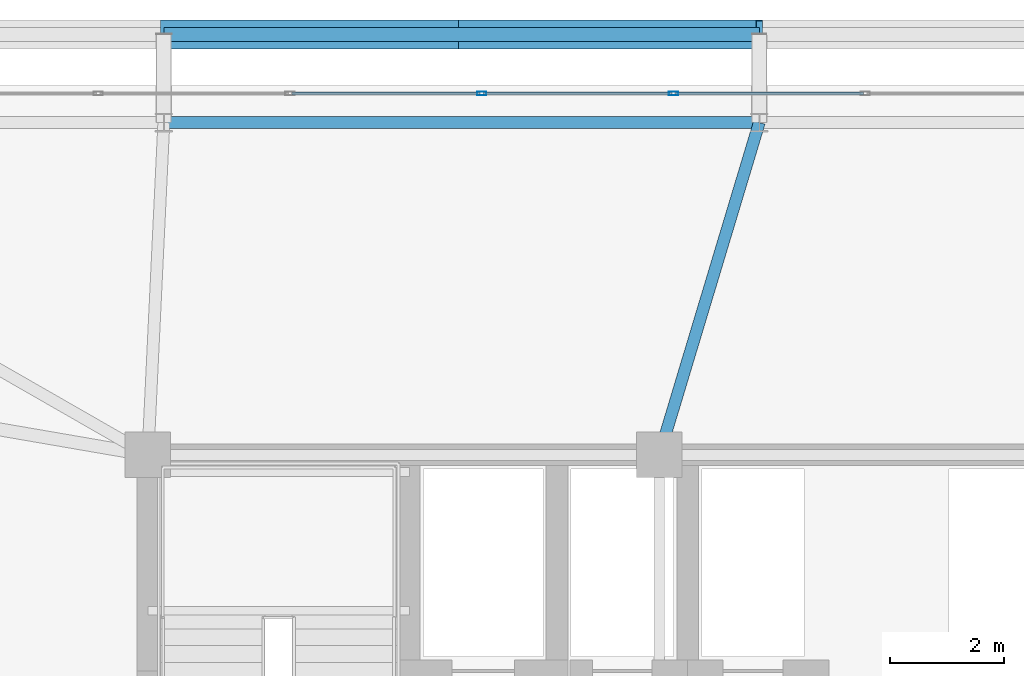
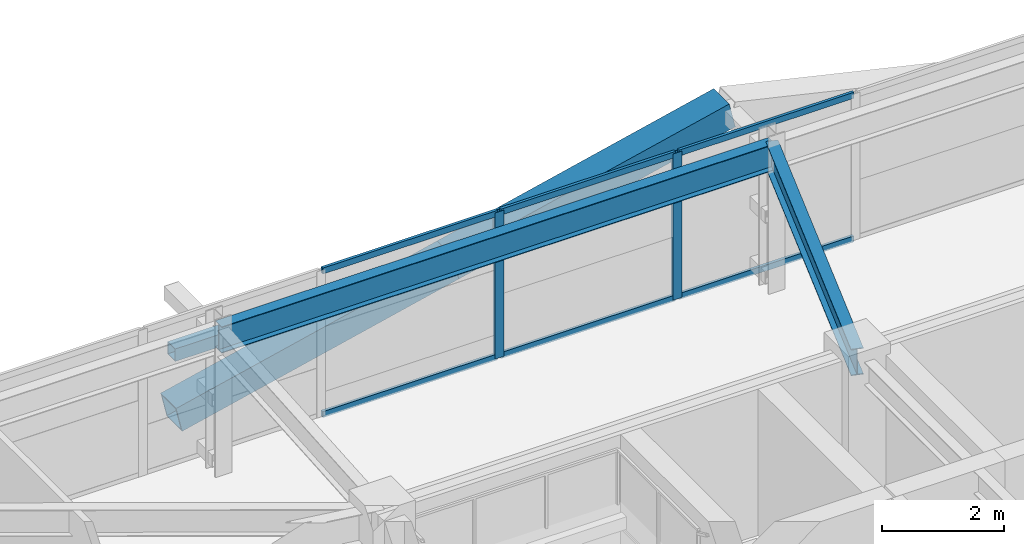
# One storey, part 36 of 59: 11 members, 2 beams, 1 element without a shape of its own.
"""IFC4 building model written with IfcOpenShell, lengths in metres."""

from ifc_helpers import new_model, si_unit, direction, frame, origin, origin_2d, place, context, subcontext, project, spatial, hollow_rectangle, i_section, extrude, source, transform, mapped, material, layer, layer_set, material_profile, profile_set, type_object, element, aggregate, save


model = new_model("IFC4")

# Units and contexts
model_context = context("Model", 3, precision=1e-05, world=origin(), true_north=direction((0.0, 1.0)))
body_context = subcontext(model_context, "Body", "Model", "MODEL_VIEW")
ifc_project = project(units=[si_unit("LENGTHUNIT", "METRE"), si_unit("AREAUNIT", "SQUARE_METRE"), si_unit("VOLUMEUNIT", "CUBIC_METRE"), si_unit("PLANEANGLEUNIT", "RADIAN"), si_unit("MASSUNIT", "GRAM", prefix="KILO")], contexts=[model_context])

# Site, building, storey
site_placement = place(None, origin())
site = spatial("IfcSite", under=ifc_project, at=site_placement, CompositionType="ELEMENT")
building_placement = place(site_placement, origin())
building = spatial("IfcBuilding", under=site, at=building_placement, Name="Taldren Reach Tower", CompositionType="ELEMENT")
storey_placement = place(building_placement, frame((0.0, 0.0, 19.949951171875)))
storey = spatial("IfcBuildingStorey", under=building, at=storey_placement, Name="L05", CompositionType="ELEMENT", Elevation=19.949951171875)

# Beams
ifc_material_1 = material(Name="Steel Gr 350 (350PLUS)", Category="steel")
ifc_material_profile_1 = material_profile(ifc_material_1, i_section(OverallWidth=0.208984375, OverallDepth=0.528076171875, WebThickness=0.009521484375, FlangeThickness=0.01318359375, at=origin_2d()), Name="530UB82.0")
ifc_profile_set_1 = profile_set([ifc_material_profile_1], Name="Steel Gr 350 (350PLUS)")
beam_type_1 = type_object("IfcBeamType", Name="SP-UB530B", PredefinedType="SPANDREL", material=ifc_profile_set_1)
shared_shape_1 = source(origin(), body_context, "Body", "SweptSolid", [
    extrude(i_section(OverallWidth=0.208984375, OverallDepth=0.528076171875, WebThickness=0.009521484375, FlangeThickness=0.01318359375, at=origin_2d()), origin(), (0.0, 0.0, 1.0), 10.47998046875),
])
beam_1_placement = place(storey_placement, frame((29.760009765625, 37.85009765625, 2.666015625), z_axis=(-1.0, 0.0, 0.0), x_axis=(0.0, -1.0, 0.0)))
element("IfcBeam", 1, at=beam_1_placement, inside=storey, type_object=beam_type_1, Name="Perimeter spandrel B1 N3-N2 L05", PredefinedType="SPANDREL", context=body_context, shape_type="MappedRepresentation", body=[
    mapped(shared_shape_1, transform((0.0, 0.0, 0.0), scale=1.0)),
])
ifc_material_profile_2 = material_profile(ifc_material_1, i_section(OverallWidth=0.208984375, OverallDepth=0.532958984375, WebThickness=0.01025390625, FlangeThickness=0.015625, at=origin_2d()), Name="530UB92.4")
ifc_profile_set_2 = profile_set([ifc_material_profile_2], Name="Steel Gr 350 (350PLUS)")
beam_type_2 = type_object("IfcBeamType", Name="BM-UB530A", PredefinedType="BEAM", material=ifc_profile_set_2)
shared_shape_2 = source(origin(), body_context, "Body", "SweptSolid", [
    extrude(i_section(OverallWidth=0.208984375, OverallDepth=0.532958984375, WebThickness=0.01025390625, FlangeThickness=0.015625, at=origin_2d()), origin(), (0.0, 0.0, 1.0), 6.109130859375),
])
beam_2_placement = place(storey_placement, frame((28.0, 32.0, 2.66357421875), z_axis=(0.288095735745, 0.957601611864, 0.0), x_axis=(-0.957601611864, 0.288095735745, 0.0)))
element("IfcBeam", 2, at=beam_2_placement, inside=storey, type_object=beam_type_2, Name="Primary floor girder B1-N3 L05", PredefinedType="BEAM", context=body_context, shape_type="MappedRepresentation", body=[
    mapped(shared_shape_2, transform((0.0, 0.0, 0.0), scale=1.0)),
])

# Members
ifc_material_2 = material(Name="Steel Gr 450 (C450L0)", Category="steel")
ifc_material_profile_3 = material_profile(ifc_material_2, hollow_rectangle(XDim=0.510009765625, YDim=0.510009765625, WallThickness=0.02001953125, at=origin_2d()), Name="510x510x20.0SHS")
ifc_profile_set_3 = profile_set([ifc_material_profile_3], Name="Steel Gr 450 (C450L0)")
member_type_1 = type_object("IfcMemberType", Name="MB-EXO508", PredefinedType="BRACE", material=ifc_profile_set_3)
shared_shape_3 = source(origin(), body_context, "Body", "SweptSolid", [
    extrude(hollow_rectangle(XDim=0.510009765625, YDim=0.510009765625, WallThickness=0.02001953125, at=origin_2d()), origin(), (0.0, 0.0, 1.0), 5.37890625),
])
for number, where, z_axis, x_axis, name in (
    (3, (19.280029296875, 39.39990234375, 0.219970703125), (0.97415197996, 0.0, 0.225893603143), (0.0, 1.0, 0.0), "Exoskeleton Diagrid Brace B1-N2 L05"),
    (4, (24.52001953125, 39.39990234375, 1.43505859375), (0.97415197996, 0.0, 0.225893603143), (0.0, 1.0, 0.0), "Exoskeleton Diagrid Brace B1-N2 L05"),
):
    element("IfcMember", number, at=place(storey_placement, frame(where, z_axis=z_axis, x_axis=x_axis)), inside=storey, type_object=member_type_1, Name=name, PredefinedType="BRACE", context=body_context, shape_type="MappedRepresentation", body=[
        mapped(shared_shape_3, transform((0.0, 0.0, 0.0), scale=1.0)),
    ])
ifc_material_3 = material(Name="Steel Gr 350 (C350L0)", Category="steel")
ifc_material_profile_4 = material_profile(ifc_material_3, hollow_rectangle(XDim=0.25, YDim=0.25, WallThickness=0.010009765625, at=origin_2d()), Name="250x250x10.0SHS")
ifc_profile_set_4 = profile_set([ifc_material_profile_4], Name="Steel Gr 350 (C350L0)")
member_type_2 = type_object("IfcMemberType", Name="MB-POST250", PredefinedType="POST", material=ifc_profile_set_4)
shared_shape_4 = source(origin(), body_context, "Body", "SweptSolid", [
    extrude(hollow_rectangle(XDim=0.25, YDim=0.25, WallThickness=0.010009765625, at=origin_2d()), origin(), (0.0, 0.0, 1.0), 10.47998046875),
])
member_1_placement = place(storey_placement, frame((19.280029296875, 39.39990234375, 1.43505859375), z_axis=(1.0, 0.0, 0.0), x_axis=(0.0, 1.0, 0.0)))
element("IfcMember", 5, at=member_1_placement, inside=storey, type_object=member_type_2, Name="Exoskeleton mid-height ring chord B1-N2 L05", PredefinedType="POST", context=body_context, shape_type="MappedRepresentation", body=[
    mapped(shared_shape_4, transform((0.0, 0.0, 0.0), scale=1.0)),
])

# Curtain wall, members
ifc_material_4 = material(Name="Aluminium and Low-E Glass Unitised System", Category="aluminium")
ifc_layer = layer(ifc_material_4, 0.159912109375)
ifc_layer_set = layer_set([ifc_layer], Name="Aluminium and Low-E Glass Unitised System")
curtain_wall_type = type_object("IfcCurtainWallType", Name="CW-SYS-2", PredefinedType="NOTDEFINED", material=ifc_layer_set)
curtain_wall_placement = place(storey_placement, origin())
curtain_wall = element("IfcCurtainWall", 6, at=curtain_wall_placement, inside=storey, type_object=curtain_wall_type, Name="Unitised curtain wall CW-L05-N", PredefinedType="NOTDEFINED")
ifc_material_5 = material(Name="Anodised Aluminium 6063-T6", Category="aluminium")
ifc_material_profile_5 = material_profile(ifc_material_5, hollow_rectangle(XDim=0.06494140625, YDim=0.1650390625, WallThickness=0.00390625, at=origin_2d()), Name="ALU-165x65x4RHS")
ifc_profile_set_5 = profile_set([ifc_material_profile_5], Name="Anodised Aluminium 6063-T6")
member_type_3 = type_object("IfcMemberType", Name="CW-MUL-165", PredefinedType="MULLION", material=ifc_profile_set_5)
shared_shape_5 = source(origin(), body_context, "Body", "SweptSolid", [
    extrude(hollow_rectangle(XDim=0.06494140625, YDim=0.1650390625, WallThickness=0.00390625, at=origin_2d()), origin(), (0.0, 0.0, 1.0), 2.929931640625),
])
member_2_placement = place(storey_placement, frame((28.25, 38.360107421875, 0.0), z_axis=(0.0, 0.0, 1.0), x_axis=(0.0, -1.0, 0.0)))
member_2 = element("IfcMember", 7, at=member_2_placement, type_object=member_type_3, Name="CW-2 mullion 11", PredefinedType="MULLION", context=body_context, shape_type="MappedRepresentation", body=[
    mapped(shared_shape_5, transform((0.0, 0.0, 0.0), scale=1.0)),
])
member_3_placement = place(storey_placement, frame((24.875, 38.360107421875, 0.0), z_axis=(0.0, 0.0, 1.0), x_axis=(0.0, -1.0, 0.0)))
member_3 = element("IfcMember", 8, at=member_3_placement, type_object=member_type_3, Name="CW-2 mullion 12", PredefinedType="MULLION", context=body_context, shape_type="MappedRepresentation", body=[
    mapped(shared_shape_5, transform((0.0, 0.0, 0.0), scale=1.0)),
])
ifc_material_profile_6 = material_profile(ifc_material_5, hollow_rectangle(XDim=0.054931640625, YDim=0.1201171875, WallThickness=0.0029296875, at=origin_2d()), Name="ALU-120x55x3RHS")
ifc_profile_set_6 = profile_set([ifc_material_profile_6], Name="Anodised Aluminium 6063-T6")
member_type_4 = type_object("IfcMemberType", Name="CW-TRN-135", PredefinedType="USERDEFINED", material=ifc_profile_set_6)
shared_shape_6 = source(origin(), body_context, "Body", "SweptSolid", [
    extrude(hollow_rectangle(XDim=0.054931640625, YDim=0.1201171875, WallThickness=0.0029296875, at=origin_2d()), origin(), (0.0, 0.0, 1.0), 3.31005859375),
])
member_4_placement = place(storey_placement, frame((31.592529296875, 38.360107421875, 0.027587890625), z_axis=(-1.0, 0.0, 0.0), x_axis=(0.0, -1.0, 0.0)))
member_4 = element("IfcMember", 9, at=member_4_placement, type_object=member_type_4, Name="CW-2 transom 10.1", ObjectType="TRANSOM", PredefinedType="USERDEFINED", context=body_context, shape_type="MappedRepresentation", body=[
    mapped(shared_shape_6, transform((0.0, 0.0, 0.0), scale=1.0)),
])
member_5_placement = place(storey_placement, frame((31.592529296875, 38.360107421875, 2.902587890625), z_axis=(-1.0, 0.0, 0.0), x_axis=(0.0, -1.0, 0.0)))
member_5 = element("IfcMember", 10, at=member_5_placement, type_object=member_type_4, Name="CW-2 transom 10.2", ObjectType="TRANSOM", PredefinedType="USERDEFINED", context=body_context, shape_type="MappedRepresentation", body=[
    mapped(shared_shape_6, transform((0.0, 0.0, 0.0), scale=1.0)),
])
member_6_placement = place(storey_placement, frame((28.217529296875, 38.360107421875, 0.027587890625), z_axis=(-1.0, 0.0, 0.0), x_axis=(0.0, -1.0, 0.0)))
member_6 = element("IfcMember", 11, at=member_6_placement, type_object=member_type_4, Name="CW-2 transom 11.1", ObjectType="TRANSOM", PredefinedType="USERDEFINED", context=body_context, shape_type="MappedRepresentation", body=[
    mapped(shared_shape_6, transform((0.0, 0.0, 0.0), scale=1.0)),
])
member_7_placement = place(storey_placement, frame((28.217529296875, 38.360107421875, 2.902587890625), z_axis=(-1.0, 0.0, 0.0), x_axis=(0.0, -1.0, 0.0)))
member_7 = element("IfcMember", 12, at=member_7_placement, type_object=member_type_4, Name="CW-2 transom 11.2", ObjectType="TRANSOM", PredefinedType="USERDEFINED", context=body_context, shape_type="MappedRepresentation", body=[
    mapped(shared_shape_6, transform((0.0, 0.0, 0.0), scale=1.0)),
])
member_8_placement = place(storey_placement, frame((24.842529296875, 38.360107421875, 0.027587890625), z_axis=(-1.0, 0.0, 0.0), x_axis=(0.0, -1.0, 0.0)))
member_8 = element("IfcMember", 13, at=member_8_placement, type_object=member_type_4, Name="CW-2 transom 12.1", ObjectType="TRANSOM", PredefinedType="USERDEFINED", context=body_context, shape_type="MappedRepresentation", body=[
    mapped(shared_shape_6, transform((0.0, 0.0, 0.0), scale=1.0)),
])
member_9_placement = place(storey_placement, frame((24.842529296875, 38.360107421875, 2.902587890625), z_axis=(-1.0, 0.0, 0.0), x_axis=(0.0, -1.0, 0.0)))
member_9 = element("IfcMember", 14, at=member_9_placement, type_object=member_type_4, Name="CW-2 transom 12.2", ObjectType="TRANSOM", PredefinedType="USERDEFINED", context=body_context, shape_type="MappedRepresentation", body=[
    mapped(shared_shape_6, transform((0.0, 0.0, 0.0), scale=1.0)),
])
aggregate(curtain_wall, [member_2, member_3, member_4, member_5, member_6, member_7, member_8, member_9])

save(model, "model.ifc")
